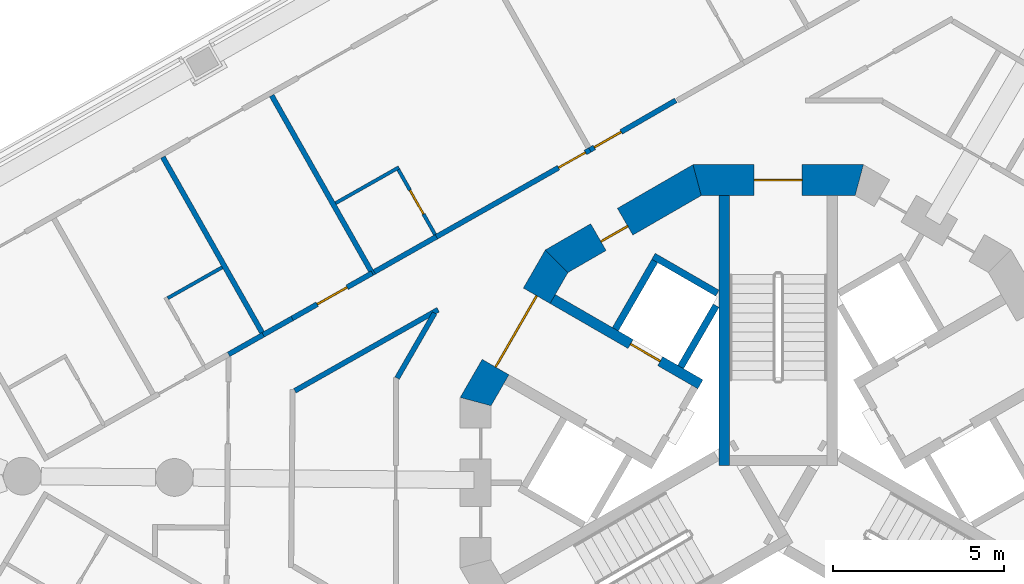
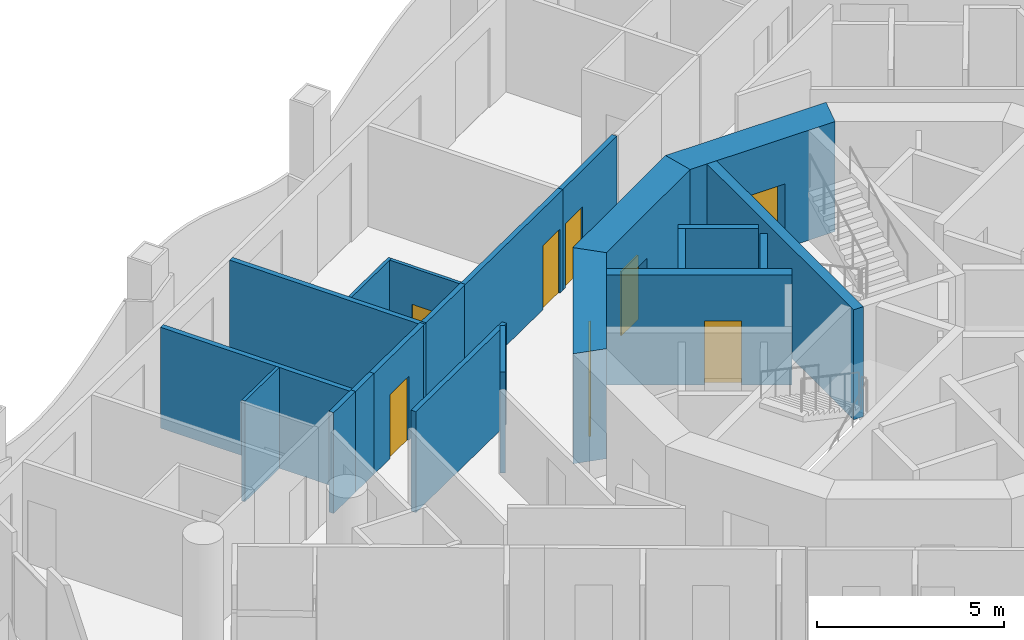
# One storey, part 7 of 17: 21 walls, 8 doors, 8 openings.
"""IFC4 building model written with IfcOpenShell, lengths in metres."""

from ifc_helpers import new_model, si_unit, direction, frame, frame_2d, origin, place, context, subcontext, project, spatial, polyline, rectangle, outline, extrude, material, layer, layer_set, type_object, element, fill, save


model = new_model("IFC4")

# Units and contexts
model_context = context("Model", 3, precision=1e-05, world=origin(), true_north=direction((0.0, 1.0)))
body_context = subcontext(model_context, "Body", "Model", "MODEL_VIEW")
ifc_project = project(units=[si_unit("LENGTHUNIT", "METRE"), si_unit("AREAUNIT", "SQUARE_METRE"), si_unit("VOLUMEUNIT", "CUBIC_METRE"), si_unit("PLANEANGLEUNIT", "RADIAN"), si_unit("MASSUNIT", "GRAM", prefix="KILO")], contexts=[model_context])

# Site, building, storey
site_placement = place(None, origin())
site = spatial("IfcSite", under=ifc_project, at=site_placement, CompositionType="ELEMENT")
building_placement = place(site_placement, origin())
building = spatial("IfcBuilding", under=site, at=building_placement, Name="Trine Commons Tower", CompositionType="ELEMENT")
storey_placement = place(building_placement, frame((0.0, 0.0, 186.300048828125)))
storey = spatial("IfcBuildingStorey", under=building, at=storey_placement, Name="L48", CompositionType="ELEMENT", Elevation=186.300048828125)

# Wall, opening, door
ifc_material_1 = material(Name="Concrete C60/75", Category="concrete")
ifc_layer_1 = layer(ifc_material_1, 0.300048828125)
ifc_layer_set_1 = layer_set([ifc_layer_1], Name="Concrete C60/75")
wall_type_1 = type_object("IfcWallType", Name="RC shear wall 300 mm, C60/75", PredefinedType="SHEAR", material=ifc_layer_set_1)
wall_1_placement = place(storey_placement, frame((77.73095703125, 65.368896484375, 0.0), z_axis=(0.0, 0.0, 1.0), x_axis=(-0.865983655544, 0.500072303102, 0.0)))
wall_1 = element("IfcWall", 1, at=wall_1_placement, inside=storey, type_object=wall_type_1, Name="Core cross wall SWB-02 L48", PredefinedType="SHEAR", context=body_context, shape_type="SweptSolid", body=[
    extrude(rectangle(XDim=4.973388671875, YDim=0.300048828125, at=frame_2d((2.48681640625, 0.0))), origin(), (0.0, 0.0, 1.0), 3.599853515625),
])
opening_1_placement = place(wall_1_placement, frame((1.3505859375, 0.0, 0.0)))
opening_1 = element("IfcOpeningElement", 2, at=opening_1_placement, cuts=wall_1, Name="Opening LD8", PredefinedType="OPENING", context=body_context, shape_type="SweptSolid", body=[
    extrude(rectangle(XDim=1.0, YDim=2.10009765625, at=frame_2d((0.5, 1.050048828125))), frame((0.0, 0.159912109375, 0.0), z_axis=(0.0, -1.0, 0.0), x_axis=(1.0, 0.0, 0.0)), (0.0, 0.0, 1.0), 0.320068359375),
])
ifc_material_2 = material(Name="Stainless steel sliding door leaves", Category="steel")
door_type_1 = type_object("IfcDoorType", Name="Lift landing door, centre-opening sliding 1000 x 2100, FD90", OperationType="DOUBLE_DOOR_SLIDING", PredefinedType="DOOR", material=ifc_material_2)
door_1_placement = place(opening_1_placement, origin())
door_1 = element("IfcDoor", 3, at=door_1_placement, inside=storey, type_object=door_type_1, Name="Lift landing door HR4 L48", OperationType="DOUBLE_DOOR_SLIDING", OverallHeight=2.10009765625, OverallWidth=1.0, PredefinedType="DOOR", context=body_context, shape_type="SweptSolid", body=[
    extrude(rectangle(XDim=1.0, YDim=2.10009765625, at=frame_2d((0.5, 1.050048828125))), frame((0.0, 0.02490234375, 0.0), z_axis=(0.0, -1.0, 0.0), x_axis=(1.0, 0.0, 0.0)), (0.0, 0.0, 1.0), 0.050048828125),
])
fill(opening_1, door_1)

# Wall
wall_2_placement = place(storey_placement, frame((78.425048828125, 63.0009765625, 0.0), z_axis=(0.0, 0.0, 1.0), x_axis=(0.0, 1.0, 0.0)))
element("IfcWall", 4, at=wall_2_placement, inside=storey, type_object=wall_type_1, Name="Core cross wall SWB-08 L48", PredefinedType="SHEAR", context=body_context, shape_type="SweptSolid", body=[
    extrude(rectangle(XDim=7.8720703125, YDim=0.300048828125, at=frame_2d((3.93603515625, 0.0))), origin(), (0.0, 0.0, 1.0), 3.599853515625),
])

# Wall, opening, door
ifc_layer_2 = layer(ifc_material_1, 0.89990234375)
ifc_layer_set_2 = layer_set([ifc_layer_2], Name="Concrete C60/75")
wall_type_2 = type_object("IfcWallType", Name="RC shear wall 900 mm, C60/75", PredefinedType="SHEAR", material=ifc_layer_set_2)
wall_3_placement = place(storey_placement, frame((82.484619140625, 71.322998046875, 0.0), z_axis=(0.0, 0.0, 1.0), x_axis=(-1.0, 0.0, 0.0)))
wall_3 = element("IfcWall", 5, at=wall_3_placement, inside=storey, type_object=wall_type_2, Name="Core wall CWE-04 L48", PredefinedType="SHEAR", context=body_context, shape_type="SweptSolid", body=[
    extrude(outline(polyline([(0.0, -0.449951171875), (4.969482421875, -0.449951171875), (4.728271484375, 0.449951171875), (0.2412109375, 0.449951171875), (0.0, -0.449951171875)])), origin(), (0.0, 0.0, 1.0), 3.599853515625),
])
opening_2_placement = place(wall_3_placement, frame((1.78466796875, 0.0, 0.0)))
opening_2 = element("IfcOpeningElement", 6, at=opening_2_placement, cuts=wall_3, Name="Opening K11.01", PredefinedType="OPENING", context=body_context, shape_type="SweptSolid", body=[
    extrude(rectangle(XDim=1.39990234375, YDim=2.10009765625, at=frame_2d((0.699951171875, 1.050048828125))), frame((0.0, 0.4599609375, 0.0), z_axis=(0.0, -1.0, 0.0), x_axis=(1.0, 0.0, 0.0)), (0.0, 0.0, 1.0), 0.919921875),
])
ifc_material_3 = material(Name="Steel door leaves, fire-rated", Category="steel")
door_type_2 = type_object("IfcDoorType", Name="Stair door, double leaf 1400 x 2100, FD90", OperationType="DOUBLE_DOOR_SINGLE_SWING", PredefinedType="DOOR", material=ifc_material_3)
door_2_placement = place(opening_2_placement, origin())
door_2 = element("IfcDoor", 7, at=door_2_placement, inside=storey, type_object=door_type_2, Name="Stair door to Exit stair ST1B L48", OperationType="DOUBLE_DOOR_SINGLE_SWING", OverallHeight=2.10009765625, OverallWidth=1.39990234375, PredefinedType="DOOR", context=body_context, shape_type="SweptSolid", body=[
    extrude(rectangle(XDim=1.39990234375, YDim=2.10009765625, at=frame_2d((0.699951171875, 1.050048828125))), frame((0.0, 0.02490234375, 0.0), z_axis=(0.0, -1.0, 0.0), x_axis=(1.0, 0.0, 0.0)), (0.0, 0.0, 1.0), 0.050048828125),
])
fill(opening_2, door_2)

wall_4_placement = place(storey_placement, frame((77.740234375, 71.38330078125, 0.0), z_axis=(0.0, 0.0, 1.0), x_axis=(-0.866003133579, -0.500038571144, 0.0)))
wall_4 = element("IfcWall", 8, at=wall_4_placement, inside=storey, type_object=wall_type_2, Name="Core wall CWE-05 L48", PredefinedType="SHEAR", context=body_context, shape_type="SweptSolid", body=[
    extrude(outline(polyline([(0.0, -0.449951171875), (4.96923828125, -0.449951171875), (4.72802734375, 0.449951171875), (0.2412109375, 0.449951171875), (0.0, -0.449951171875)])), origin(), (0.0, 0.0, 1.0), 3.599853515625),
])
opening_3_placement = place(wall_4_placement, frame((2.544921875, 0.0, 0.0)))
opening_3 = element("IfcOpeningElement", 9, at=opening_3_placement, cuts=wall_4, Name="Opening K11.13", PredefinedType="OPENING", context=body_context, shape_type="SweptSolid", body=[
    extrude(rectangle(XDim=0.89990234375, YDim=2.10009765625, at=frame_2d((0.449951171875, 1.050048828125))), frame((0.0, 0.4599609375, 0.0), z_axis=(0.0, -1.0, 0.0), x_axis=(1.0, 0.0, 0.0)), (0.0, 0.0, 1.0), 0.919921875),
])
ifc_material_4 = material(Name="Steel door leaf, fire-rated", Category="steel")
door_type_3 = type_object("IfcDoorType", Name="Core room door, single leaf 900 x 2100, FD30S", OperationType="SINGLE_SWING_LEFT", PredefinedType="DOOR", material=ifc_material_4)
door_3_placement = place(opening_3_placement, origin())
door_3 = element("IfcDoor", 10, at=door_3_placement, inside=storey, type_object=door_type_3, Name="Door to Print room L48", OperationType="SINGLE_SWING_RIGHT", OverallHeight=2.10009765625, OverallWidth=0.89990234375, PredefinedType="DOOR", context=body_context, shape_type="SweptSolid", body=[
    extrude(rectangle(XDim=0.89990234375, YDim=2.10009765625, at=frame_2d((0.449951171875, 1.050048828125))), frame((0.0, 0.1748046875, 0.0), z_axis=(0.0, -1.0, 0.0), x_axis=(1.0, 0.0, 0.0)), (0.0, 0.0, 1.0), 0.050048828125),
])
fill(opening_3, door_3)

wall_5_placement = place(storey_placement, frame((73.6015625, 69.063232421875, 0.0), z_axis=(0.0, 0.0, 1.0), x_axis=(-0.500038571144, -0.866003133579, 0.0)))
wall_5 = element("IfcWall", 11, at=wall_5_placement, inside=storey, type_object=wall_type_2, Name="Core wall CWE-06 L48", PredefinedType="SHEAR", context=body_context, shape_type="SweptSolid", body=[
    extrude(outline(polyline([(0.0, -0.449951171875), (4.96923828125, -0.449951171875), (4.72802734375, 0.449951171875), (0.2412109375, 0.449951171875), (0.0, -0.449951171875)])), origin(), (0.0, 0.0, 1.0), 3.599853515625),
])
opening_4_placement = place(wall_5_placement, frame((1.28466796875, 0.0, 0.0)))
opening_4 = element("IfcOpeningElement", 12, at=opening_4_placement, cuts=wall_5, Name="Opening K11.06", PredefinedType="OPENING", context=body_context, shape_type="SweptSolid", body=[
    extrude(rectangle(XDim=2.39990234375, YDim=2.10009765625, at=frame_2d((1.199951171875, 1.050048828125))), frame((0.0, 0.4599609375, 0.0), z_axis=(0.0, -1.0, 0.0), x_axis=(1.0, 0.0, 0.0)), (0.0, 0.0, 1.0), 0.919921875),
])
door_type_4 = type_object("IfcDoorType", Name="Lobby door, double leaf 2400 x 2100, FD60", OperationType="DOUBLE_DOOR_SINGLE_SWING", PredefinedType="DOOR", material=ifc_material_3)
door_4_placement = place(opening_4_placement, origin())
door_4 = element("IfcDoor", 13, at=door_4_placement, inside=storey, type_object=door_type_4, Name="Lobby door, Passenger lift lobby B L48", OperationType="DOUBLE_DOOR_SINGLE_SWING", OverallHeight=2.10009765625, OverallWidth=2.39990234375, PredefinedType="DOOR", context=body_context, shape_type="SweptSolid", body=[
    extrude(rectangle(XDim=2.39990234375, YDim=2.10009765625, at=frame_2d((1.199951171875, 1.050048828125))), frame((0.0, 0.02490234375, 0.0), z_axis=(0.0, -1.0, 0.0), x_axis=(1.0, 0.0, 0.0)), (0.0, 0.0, 1.0), 0.050048828125),
])
fill(opening_4, door_4)

# Walls
ifc_material_5 = material(Name="Fire-rated gypsum shaft wall system")
ifc_layer_3 = layer(ifc_material_5, 0.199951171875)
ifc_layer_set_3 = layer_set([ifc_layer_3], Name="Fire-rated gypsum shaft wall system")
wall_type_3 = type_object("IfcWallType", Name="Shaft wall 200 mm, EI 120", PredefinedType="PARTITIONING", material=ifc_layer_set_3)
wall_6_placement = place(storey_placement, frame((75.2509765625, 66.97412109375, 0.0), z_axis=(0.0, 0.0, 1.0), x_axis=(0.500136062276, 0.86594683394, 0.0)))
element("IfcWall", 14, at=wall_6_placement, inside=storey, type_object=wall_type_3, Name="Shaft wall L48", PredefinedType="PARTITIONING", context=body_context, shape_type="SweptSolid", body=[
    extrude(rectangle(XDim=2.299072265625, YDim=0.199951171875, at=frame_2d((1.1494140625, 0.0))), origin(), (0.0, 0.0, 1.0), 3.300048828125),
])
wall_7_placement = place(storey_placement, frame((77.156005859375, 65.8740234375, 0.0), z_axis=(0.0, 0.0, 1.0), x_axis=(0.499865770674, 0.866102887253, 0.0)))
element("IfcWall", 15, at=wall_7_placement, inside=storey, type_object=wall_type_3, Name="Shaft wall L48", PredefinedType="PARTITIONING", context=body_context, shape_type="SweptSolid", body=[
    extrude(rectangle(XDim=2.064453125, YDim=0.199951171875, at=frame_2d((1.0322265625, 0.0))), origin(), (0.0, 0.0, 1.0), 3.300048828125),
])
wall_8_placement = place(storey_placement, frame((78.22509765625, 68.028076171875, 0.0), z_axis=(0.0, 0.0, 1.0), x_axis=(-0.866130725101, 0.499817533742, 0.0)))
element("IfcWall", 16, at=wall_8_placement, inside=storey, type_object=wall_type_3, Name="Shaft wall L48", PredefinedType="PARTITIONING", context=body_context, shape_type="SweptSolid", body=[
    extrude(rectangle(XDim=2.148681640625, YDim=0.199951171875, at=frame_2d((1.07421875, 0.0))), origin(), (0.0, 0.0, 1.0), 3.300048828125),
])
ifc_material_6 = material(Name="Gypsum plasterboard on steel stud", Category="steel")
ifc_layer_4 = layer(ifc_material_6, 0.14990234375)
ifc_layer_set_4 = layer_set([ifc_layer_4], Name="Gypsum plasterboard on steel stud")
wall_type_4 = type_object("IfcWallType", Name="Unit and corridor wall 150 mm, EI 60", PredefinedType="PARTITIONING", material=ifc_layer_set_4)
wall_9_placement = place(storey_placement, frame((62.0576171875, 71.9931640625, 0.0), z_axis=(0.0, 0.0, 1.0), x_axis=(0.492391211334, -0.870373997199, 0.0)))
element("IfcWall", 17, at=wall_9_placement, inside=storey, type_object=wall_type_4, Name="Partition 015", PredefinedType="PARTITIONING", context=body_context, shape_type="SweptSolid", body=[
    extrude(rectangle(XDim=5.949462890625, YDim=0.14990234375, at=frame_2d((2.974609375, 0.0))), origin(), (0.0, 0.0, 1.0), 3.300048828125),
])
wall_10_placement = place(storey_placement, frame((63.97607421875, 66.242919921875, 0.0), z_axis=(0.0, 0.0, 1.0), x_axis=(0.870234820761, 0.492637145102, 0.0)))
element("IfcWall", 18, at=wall_10_placement, inside=storey, type_object=wall_type_4, Name="Partition 022", PredefinedType="PARTITIONING", context=body_context, shape_type="SweptSolid", body=[
    extrude(rectangle(XDim=1.1650390625, YDim=0.14990234375, at=frame_2d((0.58251953125, 0.0))), origin(), (0.0, 0.0, 1.0), 3.300048828125),
])
wall_11_placement = place(storey_placement, frame((64.98388671875, 66.81298828125, 0.0), z_axis=(0.0, 0.0, 1.0), x_axis=(0.870488073498, 0.492189510145, 0.0)))
element("IfcWall", 19, at=wall_11_placement, inside=storey, type_object=wall_type_4, Name="Partition 024", PredefinedType="PARTITIONING", context=body_context, shape_type="SweptSolid", body=[
    extrude(rectangle(XDim=0.97314453125, YDim=0.14990234375, at=frame_2d((0.486572265625, 0.0))), origin(), (0.0, 0.0, 1.0), 3.300048828125),
])
wall_12_placement = place(storey_placement, frame((65.231689453125, 73.789306640625, 0.0), z_axis=(0.0, 0.0, 1.0), x_axis=(0.492495148892, -0.870315189065, 0.0)))
element("IfcWall", 20, at=wall_12_placement, inside=storey, type_object=wall_type_4, Name="Partition 026", PredefinedType="PARTITIONING", context=body_context, shape_type="SweptSolid", body=[
    extrude(rectangle(XDim=6.02490234375, YDim=0.14990234375, at=frame_2d((3.012451171875, 0.0))), origin(), (0.0, 0.0, 1.0), 3.300048828125),
])

# Wall, opening, door
wall_13_placement = place(storey_placement, frame((65.8310546875, 67.2919921875, 0.0), z_axis=(0.0, 0.0, 1.0), x_axis=(0.870269372047, 0.492576105873, 0.0)))
wall_13 = element("IfcWall", 21, at=wall_13_placement, inside=storey, type_object=wall_type_4, Name="Partition 030", PredefinedType="PARTITIONING", context=body_context, shape_type="SweptSolid", body=[
    extrude(rectangle(XDim=2.681884765625, YDim=0.14990234375, at=frame_2d((1.3408203125, 0.0))), origin(), (0.0, 0.0, 1.0), 3.300048828125),
])
opening_5_placement = place(wall_13_placement, frame((0.839111328125, 0.0, 0.0)))
opening_5 = element("IfcOpeningElement", 22, at=opening_5_placement, cuts=wall_13, Name="Opening D-5C08", PredefinedType="OPENING", context=body_context, shape_type="SweptSolid", body=[
    extrude(rectangle(XDim=1.0, YDim=2.10009765625, at=frame_2d((0.5, 1.050048828125))), frame((0.0, 0.0849609375, 0.0), z_axis=(0.0, -1.0, 0.0), x_axis=(1.0, 0.0, 0.0)), (0.0, 0.0, 1.0), 0.169921875),
])
ifc_material_7 = material(Name="Painted timber", Category="wood")
door_type_5 = type_object("IfcDoorType", Name="Amenity room door 1000 x 2100, NOT RATED", OperationType="NOTDEFINED", PredefinedType="DOOR", material=ifc_material_7)
door_5_placement = place(opening_5_placement, origin())
door_5 = element("IfcDoor", 23, at=door_5_placement, inside=storey, type_object=door_type_5, Name="Door D-5C08", OperationType="SINGLE_SWING_LEFT", OverallHeight=2.10009765625, OverallWidth=1.0, PredefinedType="DOOR", context=body_context, shape_type="SweptSolid", body=[
    extrude(rectangle(XDim=1.0, YDim=2.10009765625, at=frame_2d((0.5, 1.050048828125))), frame((0.0, 0.02490234375, 0.0), z_axis=(0.0, -1.0, 0.0), x_axis=(1.0, 0.0, 0.0)), (0.0, 0.0, 1.0), 0.050048828125),
])
fill(opening_5, door_5)

# Walls
wall_14_placement = place(storey_placement, frame((65.9072265625, 65.180908203125, 0.0), z_axis=(0.0, 0.0, 1.0), x_axis=(0.870373278687, 0.492392481408, 0.0)))
element("IfcWall", 24, at=wall_14_placement, inside=storey, type_object=wall_type_4, Name="Partition 031", PredefinedType="PARTITIONING", context=body_context, shape_type="SweptSolid", body=[
    extrude(rectangle(XDim=4.799072265625, YDim=0.14990234375, at=frame_2d((2.3994140625, 0.0))), origin(), (0.0, 0.0, 1.0), 3.300048828125),
])
wall_15_placement = place(storey_placement, frame((68.224365234375, 68.64599609375, 0.0), z_axis=(0.0, 0.0, 1.0), x_axis=(0.870106004403, 0.492864627562, 0.0)))
element("IfcWall", 25, at=wall_15_placement, inside=storey, type_object=wall_type_4, Name="Partition 034", PredefinedType="PARTITIONING", context=body_context, shape_type="SweptSolid", body=[
    extrude(rectangle(XDim=2.08203125, YDim=0.14990234375, at=frame_2d((1.041015625, 0.0))), origin(), (0.0, 0.0, 1.0), 3.300048828125),
])
wall_16_placement = place(storey_placement, frame((68.889404296875, 65.552001953125, 0.0), z_axis=(0.0, 0.0, 1.0), x_axis=(0.499825543119, 0.866126103086, 0.0)))
element("IfcWall", 26, at=wall_16_placement, inside=storey, type_object=wall_type_4, Name="Partition 037", PredefinedType="PARTITIONING", context=body_context, shape_type="SweptSolid", body=[
    extrude(rectangle(XDim=2.186767578125, YDim=0.14990234375, at=frame_2d((1.09326171875, 0.0))), origin(), (0.0, 0.0, 1.0), 3.300048828125),
])

# Wall, opening, door
wall_17_placement = place(storey_placement, frame((69.986572265625, 69.643310546875, 0.0), z_axis=(0.0, 0.0, 1.0), x_axis=(0.870328275293, 0.492472022785, 0.0)))
wall_17 = element("IfcWall", 27, at=wall_17_placement, inside=storey, type_object=wall_type_4, Name="Partition 039", PredefinedType="PARTITIONING", context=body_context, shape_type="SweptSolid", body=[
    extrude(rectangle(XDim=5.197509765625, YDim=0.14990234375, at=frame_2d((2.5986328125, 0.0))), origin(), (0.0, 0.0, 1.0), 3.300048828125),
])
opening_6_placement = place(wall_17_placement, frame((4.1474609375, 0.0, 0.0)))
opening_6 = element("IfcOpeningElement", 28, at=opening_6_placement, cuts=wall_17, Name="Opening D-5C09", PredefinedType="OPENING", context=body_context, shape_type="SweptSolid", body=[
    extrude(rectangle(XDim=0.89990234375, YDim=2.10009765625, at=frame_2d((0.449951171875, 1.050048828125))), frame((0.0, 0.0849609375, 0.0), z_axis=(0.0, -1.0, 0.0), x_axis=(1.0, 0.0, 0.0)), (0.0, 0.0, 1.0), 0.169921875),
])
ifc_material_8 = material(Name="Timber fire door set", Category="wood")
door_type_6 = type_object("IfcDoorType", Name="Bedroom door 900 x 2100, FD30S", OperationType="NOTDEFINED", PredefinedType="DOOR", material=ifc_material_8)
door_6_placement = place(opening_6_placement, origin())
door_6 = element("IfcDoor", 29, at=door_6_placement, inside=storey, type_object=door_type_6, Name="Door D-5C09", OperationType="SINGLE_SWING_RIGHT", OverallHeight=2.10009765625, OverallWidth=0.89990234375, PredefinedType="DOOR", context=body_context, shape_type="SweptSolid", body=[
    extrude(rectangle(XDim=0.89990234375, YDim=2.10009765625, at=frame_2d((0.449951171875, 1.050048828125))), frame((0.0, 0.02490234375, 0.0), z_axis=(0.0, -1.0, 0.0), x_axis=(1.0, 0.0, 0.0)), (0.0, 0.0, 1.0), 0.050048828125),
])
fill(opening_6, door_6)

wall_18_placement = place(storey_placement, frame((74.510009765625, 72.202880859375, 0.0), z_axis=(0.0, 0.0, 1.0), x_axis=(0.86602521942, 0.500000319328, 0.0)))
wall_18 = element("IfcWall", 30, at=wall_18_placement, inside=storey, type_object=wall_type_4, Name="Partition 044", PredefinedType="PARTITIONING", context=body_context, shape_type="SweptSolid", body=[
    extrude(rectangle(XDim=2.89013671875, YDim=0.14990234375, at=frame_2d((1.445068359375, 0.0))), origin(), (0.0, 0.0, 1.0), 3.300048828125),
])
opening_7_placement = place(wall_18_placement, frame((0.14990234375, 0.0, 0.0)))
opening_7 = element("IfcOpeningElement", 31, at=opening_7_placement, cuts=wall_18, Name="Opening D-5C10", PredefinedType="OPENING", context=body_context, shape_type="SweptSolid", body=[
    extrude(rectangle(XDim=0.89990234375, YDim=2.10009765625, at=frame_2d((0.449951171875, 1.050048828125))), frame((0.0, 0.0849609375, 0.0), z_axis=(0.0, -1.0, 0.0), x_axis=(1.0, 0.0, 0.0)), (0.0, 0.0, 1.0), 0.169921875),
])
door_7_placement = place(opening_7_placement, origin())
door_7 = element("IfcDoor", 32, at=door_7_placement, inside=storey, type_object=door_type_6, Name="Door D-5C10", OperationType="SINGLE_SWING_LEFT", OverallHeight=2.10009765625, OverallWidth=0.89990234375, PredefinedType="DOOR", context=body_context, shape_type="SweptSolid", body=[
    extrude(rectangle(XDim=0.89990234375, YDim=2.10009765625, at=frame_2d((0.449951171875, 1.050048828125))), frame((0.0, 0.02490234375, 0.0), z_axis=(0.0, -1.0, 0.0), x_axis=(1.0, 0.0, 0.0)), (0.0, 0.0, 1.0), 0.050048828125),
])
fill(opening_7, door_7)

# Walls
ifc_layer_5 = layer(ifc_material_6, 0.10009765625)
ifc_layer_set_5 = layer_set([ifc_layer_5], Name="Gypsum plasterboard on steel stud")
wall_type_5 = type_object("IfcWallType", Name="Unit partition 100 mm, no rating", PredefinedType="PARTITIONING", material=ifc_layer_set_5)
wall_19_placement = place(storey_placement, frame((62.201416015625, 67.881591796875, 0.0), z_axis=(0.0, 0.0, 1.0), x_axis=(0.870408310006, 0.492330553462, 0.0)))
element("IfcWall", 33, at=wall_19_placement, inside=storey, type_object=wall_type_5, Name="Partition 017", PredefinedType="PARTITIONING", context=body_context, shape_type="SweptSolid", body=[
    extrude(rectangle(XDim=1.824951171875, YDim=0.10009765625, at=frame_2d((0.91259765625, 0.0))), origin(), (0.0, 0.0, 1.0), 3.300048828125),
])
wall_20_placement = place(storey_placement, frame((67.09423828125, 70.64990234375, 0.0), z_axis=(0.0, 0.0, 1.0), x_axis=(0.870293094697, 0.492534191019, 0.0)))
element("IfcWall", 34, at=wall_20_placement, inside=storey, type_object=wall_type_5, Name="Partition 032", PredefinedType="PARTITIONING", context=body_context, shape_type="SweptSolid", body=[
    extrude(rectangle(XDim=2.125, YDim=0.10009765625, at=frame_2d((1.0625, 0.0))), origin(), (0.0, 0.0, 1.0), 3.300048828125),
])

# Wall, opening, door
wall_21_placement = place(storey_placement, frame((68.924560546875, 71.62841796875, 0.0), z_axis=(0.0, 0.0, 1.0), x_axis=(0.492593408535, -0.870259578441, 0.0)))
wall_21 = element("IfcWall", 35, at=wall_21_placement, inside=storey, type_object=wall_type_5, Name="Partition 038", PredefinedType="PARTITIONING", context=body_context, shape_type="SweptSolid", body=[
    extrude(rectangle(XDim=2.17529296875, YDim=0.10009765625, at=frame_2d((1.087646484375, 0.0))), origin(), (0.0, 0.0, 1.0), 3.300048828125),
])
opening_8_placement = place(wall_21_placement, frame((0.6875, 0.0, 0.0)))
opening_8 = element("IfcOpeningElement", 36, at=opening_8_placement, cuts=wall_21, Name="Opening D-5C35", PredefinedType="OPENING", context=body_context, shape_type="SweptSolid", body=[
    extrude(rectangle(XDim=0.800048828125, YDim=2.10009765625, at=frame_2d((0.39990234375, 1.050048828125))), frame((0.0, 0.06005859375, 0.0), z_axis=(0.0, -1.0, 0.0), x_axis=(1.0, 0.0, 0.0)), (0.0, 0.0, 1.0), 0.1201171875),
])
door_type_7 = type_object("IfcDoorType", Name="Internal door 800 x 2100, NOT RATED", OperationType="NOTDEFINED", PredefinedType="DOOR", material=ifc_material_7)
door_8_placement = place(opening_8_placement, origin())
door_8 = element("IfcDoor", 37, at=door_8_placement, inside=storey, type_object=door_type_7, Name="Door D-5C35", OperationType="SINGLE_SWING_LEFT", OverallHeight=2.10009765625, OverallWidth=0.800048828125, PredefinedType="DOOR", context=body_context, shape_type="SweptSolid", body=[
    extrude(rectangle(XDim=0.800048828125, YDim=2.10009765625, at=frame_2d((0.39990234375, 1.050048828125))), frame((0.0, 0.02490234375, 0.0), z_axis=(0.0, -1.0, 0.0), x_axis=(1.0, 0.0, 0.0)), (0.0, 0.0, 1.0), 0.050048828125),
])
fill(opening_8, door_8)

save(model, "model.ifc")
